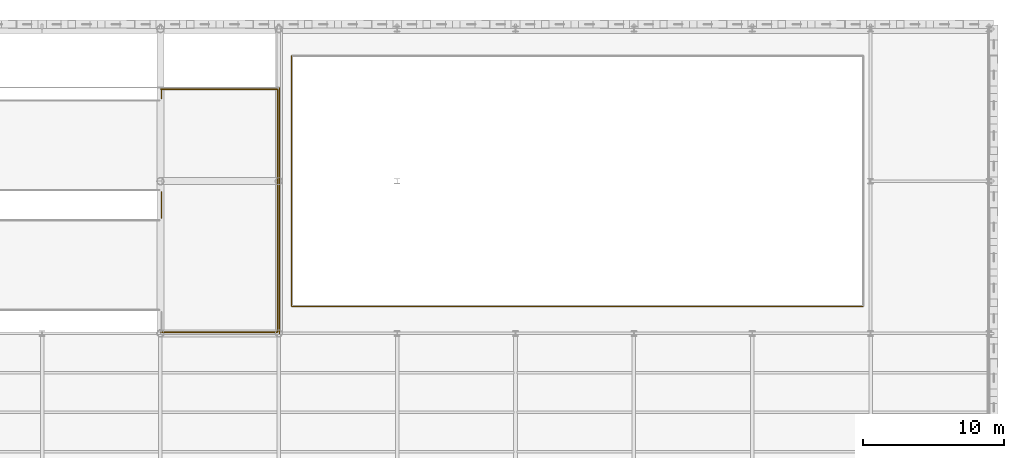
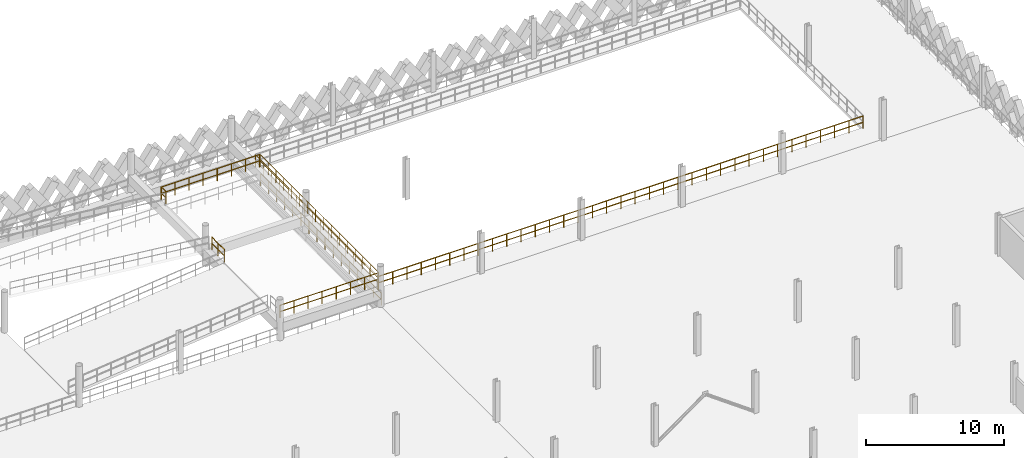
# One storey, part 97 of 101: 8 railings.
"""IFC4 building model written with IfcOpenShell, lengths in metres."""

from ifc_helpers import new_model, si_unit, direction, frame, origin, origin_2d, place, context, subcontext, project, spatial, circle, extrude, material, type_object, element, save


model = new_model("IFC4")

# Units and contexts
model_context = context("Model", 3, precision=1e-05, world=origin(), true_north=direction((0.0, 1.0)))
body_context = subcontext(model_context, "Body", "Model", "MODEL_VIEW")
ifc_project = project(units=[si_unit("LENGTHUNIT", "METRE"), si_unit("AREAUNIT", "SQUARE_METRE"), si_unit("VOLUMEUNIT", "CUBIC_METRE"), si_unit("PLANEANGLEUNIT", "RADIAN"), si_unit("MASSUNIT", "GRAM", prefix="KILO"), si_unit("THERMODYNAMICTEMPERATUREUNIT", "KELVIN"), si_unit("POWERUNIT", "WATT")], contexts=[model_context])

# Site, building, storey
site_placement = place(None, origin())
site = spatial("IfcSite", under=ifc_project, at=site_placement, CompositionType="ELEMENT")
building_placement = place(site_placement, origin())
building = spatial("IfcBuilding", under=site, at=building_placement, Name="Tembeka Court Mobility Hub", CompositionType="ELEMENT")
storey_placement = place(building_placement, frame((0.0, 0.0, 5.39990234375)))
storey = spatial("IfcBuildingStorey", under=building, at=storey_placement, Name="L01", CompositionType="ELEMENT", Elevation=5.39990234375)

# Railings
ifc_material = material(Name="Painted galvanised steel balustrade", Category="steel")
railing_type_1 = type_object("IfcRailingType", Name="RL-GR01", PredefinedType="GUARDRAIL", material=ifc_material)
railing_1_placement = place(storey_placement, frame((42.929931640625, 99.10009765625, 0.0)))
element("IfcRailing", 1, at=railing_1_placement, inside=storey, type_object=railing_type_1, Name="Perimeter guard GR01-0057", PredefinedType="GUARDRAIL", context=body_context, shape_type="SweptSolid", body=[
    extrude(circle(Radius=0.02392578125, at=origin_2d()), frame((0.0, 0.0, 1.09619140625), z_axis=(1.0, 0.0, 0.0), x_axis=(0.0, 1.0, 0.0)), (0.0, 0.0, 1.0), 40.5400390625),
    extrude(circle(Radius=0.02392578125, at=origin_2d()), frame((0.0, 0.0, 0.5361328125), z_axis=(1.0, 0.0, 0.0), x_axis=(0.0, 1.0, 0.0)), (0.0, 0.0, 1.0), 40.5400390625),
    extrude(circle(Radius=0.02099609375, at=origin_2d()), origin(), (0.0, 0.0, 1.0), 1.072021484375),
    extrude(circle(Radius=0.02099609375, at=origin_2d()), frame((1.1923828125, 0.0, 0.0)), (0.0, 0.0, 1.0), 1.072021484375),
    extrude(circle(Radius=0.02099609375, at=origin_2d()), frame((2.384765625, 0.0, 0.0)), (0.0, 0.0, 1.0), 1.072021484375),
    extrude(circle(Radius=0.02099609375, at=origin_2d()), frame((3.5771484375, 0.0, 0.0)), (0.0, 0.0, 1.0), 1.072021484375),
    extrude(circle(Radius=0.02099609375, at=origin_2d()), frame((4.76953125, 0.0, 0.0)), (0.0, 0.0, 1.0), 1.072021484375),
    extrude(circle(Radius=0.02099609375, at=origin_2d()), frame((5.961669921875, 0.0, 0.0)), (0.0, 0.0, 1.0), 1.072021484375),
    extrude(circle(Radius=0.02099609375, at=origin_2d()), frame((7.154052734375, 0.0, 0.0)), (0.0, 0.0, 1.0), 1.072021484375),
    extrude(circle(Radius=0.02099609375, at=origin_2d()), frame((8.346435546875, 0.0, 0.0)), (0.0, 0.0, 1.0), 1.072021484375),
    extrude(circle(Radius=0.02099609375, at=origin_2d()), frame((9.538818359375, 0.0, 0.0)), (0.0, 0.0, 1.0), 1.072021484375),
    extrude(circle(Radius=0.02099609375, at=origin_2d()), frame((10.731201171875, 0.0, 0.0)), (0.0, 0.0, 1.0), 1.072021484375),
    extrude(circle(Radius=0.02099609375, at=origin_2d()), frame((11.923583984375, 0.0, 0.0)), (0.0, 0.0, 1.0), 1.072021484375),
    extrude(circle(Radius=0.02099609375, at=origin_2d()), frame((13.115966796875, 0.0, 0.0)), (0.0, 0.0, 1.0), 1.072021484375),
    extrude(circle(Radius=0.02099609375, at=origin_2d()), frame((14.308349609375, 0.0, 0.0)), (0.0, 0.0, 1.0), 1.072021484375),
    extrude(circle(Radius=0.02099609375, at=origin_2d()), frame((15.50048828125, 0.0, 0.0)), (0.0, 0.0, 1.0), 1.072021484375),
    extrude(circle(Radius=0.02099609375, at=origin_2d()), frame((16.69287109375, 0.0, 0.0)), (0.0, 0.0, 1.0), 1.072021484375),
    extrude(circle(Radius=0.02099609375, at=origin_2d()), frame((17.88525390625, 0.0, 0.0)), (0.0, 0.0, 1.0), 1.072021484375),
    extrude(circle(Radius=0.02099609375, at=origin_2d()), frame((19.07763671875, 0.0, 0.0)), (0.0, 0.0, 1.0), 1.072021484375),
    extrude(circle(Radius=0.02099609375, at=origin_2d()), frame((20.27001953125, 0.0, 0.0)), (0.0, 0.0, 1.0), 1.072021484375),
    extrude(circle(Radius=0.02099609375, at=origin_2d()), frame((21.46240234375, 0.0, 0.0)), (0.0, 0.0, 1.0), 1.072021484375),
    extrude(circle(Radius=0.02099609375, at=origin_2d()), frame((22.65478515625, 0.0, 0.0)), (0.0, 0.0, 1.0), 1.072021484375),
    extrude(circle(Radius=0.02099609375, at=origin_2d()), frame((23.84716796875, 0.0, 0.0)), (0.0, 0.0, 1.0), 1.072021484375),
    extrude(circle(Radius=0.02099609375, at=origin_2d()), frame((25.03955078125, 0.0, 0.0)), (0.0, 0.0, 1.0), 1.072021484375),
    extrude(circle(Radius=0.02099609375, at=origin_2d()), frame((26.231689453125, 0.0, 0.0)), (0.0, 0.0, 1.0), 1.072021484375),
    extrude(circle(Radius=0.02099609375, at=origin_2d()), frame((27.424072265625, 0.0, 0.0)), (0.0, 0.0, 1.0), 1.072021484375),
    extrude(circle(Radius=0.02099609375, at=origin_2d()), frame((28.616455078125, 0.0, 0.0)), (0.0, 0.0, 1.0), 1.072021484375),
    extrude(circle(Radius=0.02099609375, at=origin_2d()), frame((29.808837890625, 0.0, 0.0)), (0.0, 0.0, 1.0), 1.072021484375),
    extrude(circle(Radius=0.02099609375, at=origin_2d()), frame((31.001220703125, 0.0, 0.0)), (0.0, 0.0, 1.0), 1.072021484375),
    extrude(circle(Radius=0.02099609375, at=origin_2d()), frame((32.193603515625, 0.0, 0.0)), (0.0, 0.0, 1.0), 1.072021484375),
    extrude(circle(Radius=0.02099609375, at=origin_2d()), frame((33.385986328125, 0.0, 0.0)), (0.0, 0.0, 1.0), 1.072021484375),
    extrude(circle(Radius=0.02099609375, at=origin_2d()), frame((34.578369140625, 0.0, 0.0)), (0.0, 0.0, 1.0), 1.072021484375),
    extrude(circle(Radius=0.02099609375, at=origin_2d()), frame((35.7705078125, 0.0, 0.0)), (0.0, 0.0, 1.0), 1.072021484375),
    extrude(circle(Radius=0.02099609375, at=origin_2d()), frame((36.962890625, 0.0, 0.0)), (0.0, 0.0, 1.0), 1.072021484375),
    extrude(circle(Radius=0.02099609375, at=origin_2d()), frame((38.1552734375, 0.0, 0.0)), (0.0, 0.0, 1.0), 1.072021484375),
    extrude(circle(Radius=0.02099609375, at=origin_2d()), frame((39.34765625, 0.0, 0.0)), (0.0, 0.0, 1.0), 1.072021484375),
    extrude(circle(Radius=0.02099609375, at=origin_2d()), frame((40.5400390625, 0.0, 0.0)), (0.0, 0.0, 1.0), 1.072021484375),
])
railing_2_placement = place(storey_placement, frame((42.89990234375, 116.8701171875, 0.0)))
element("IfcRailing", 2, at=railing_2_placement, inside=storey, type_object=railing_type_1, Name="Perimeter guard GR01-0060", PredefinedType="GUARDRAIL", context=body_context, shape_type="SweptSolid", body=[
    extrude(circle(Radius=0.02392578125, at=origin_2d()), frame((0.0, 0.0, 1.09619140625), z_axis=(0.0, -1.0, 0.0), x_axis=(1.0, 0.0, 0.0)), (0.0, 0.0, 1.0), 17.740234375),
    extrude(circle(Radius=0.02392578125, at=origin_2d()), frame((0.0, 0.0, 0.5361328125), z_axis=(0.0, -1.0, 0.0), x_axis=(1.0, 0.0, 0.0)), (0.0, 0.0, 1.0), 17.740234375),
    extrude(circle(Radius=0.02099609375, at=origin_2d()), origin(), (0.0, 0.0, 1.0), 1.072021484375),
    extrude(circle(Radius=0.02099609375, at=origin_2d()), frame((0.0, -1.1826171875, 0.0)), (0.0, 0.0, 1.0), 1.072021484375),
    extrude(circle(Radius=0.02099609375, at=origin_2d()), frame((0.0, -2.365478515625, 0.0)), (0.0, 0.0, 1.0), 1.072021484375),
    extrude(circle(Radius=0.02099609375, at=origin_2d()), frame((0.0, -3.548095703125, 0.0)), (0.0, 0.0, 1.0), 1.072021484375),
    extrude(circle(Radius=0.02099609375, at=origin_2d()), frame((0.0, -4.730712890625, 0.0)), (0.0, 0.0, 1.0), 1.072021484375),
    extrude(circle(Radius=0.02099609375, at=origin_2d()), frame((0.0, -5.913330078125, 0.0)), (0.0, 0.0, 1.0), 1.072021484375),
    extrude(circle(Radius=0.02099609375, at=origin_2d()), frame((0.0, -7.09619140625, 0.0)), (0.0, 0.0, 1.0), 1.072021484375),
    extrude(circle(Radius=0.02099609375, at=origin_2d()), frame((0.0, -8.27880859375, 0.0)), (0.0, 0.0, 1.0), 1.072021484375),
    extrude(circle(Radius=0.02099609375, at=origin_2d()), frame((0.0, -9.46142578125, 0.0)), (0.0, 0.0, 1.0), 1.072021484375),
    extrude(circle(Radius=0.02099609375, at=origin_2d()), frame((0.0, -10.64404296875, 0.0)), (0.0, 0.0, 1.0), 1.072021484375),
    extrude(circle(Radius=0.02099609375, at=origin_2d()), frame((0.0, -11.826904296875, 0.0)), (0.0, 0.0, 1.0), 1.072021484375),
    extrude(circle(Radius=0.02099609375, at=origin_2d()), frame((0.0, -13.009521484375, 0.0)), (0.0, 0.0, 1.0), 1.072021484375),
    extrude(circle(Radius=0.02099609375, at=origin_2d()), frame((0.0, -14.192138671875, 0.0)), (0.0, 0.0, 1.0), 1.072021484375),
    extrude(circle(Radius=0.02099609375, at=origin_2d()), frame((0.0, -15.374755859375, 0.0)), (0.0, 0.0, 1.0), 1.072021484375),
    extrude(circle(Radius=0.02099609375, at=origin_2d()), frame((0.0, -16.5576171875, 0.0)), (0.0, 0.0, 1.0), 1.072021484375),
    extrude(circle(Radius=0.02099609375, at=origin_2d()), frame((0.0, -17.740234375, 0.0)), (0.0, 0.0, 1.0), 1.072021484375),
])
railing_type_2 = type_object("IfcRailingType", Name="RL-GR02", PredefinedType="GUARDRAIL", material=ifc_material)
railing_3_placement = place(storey_placement, frame((42.050048828125, 97.179931640625, 0.0)))
element("IfcRailing", 3, at=railing_3_placement, inside=storey, type_object=railing_type_2, Name="Perimeter guard GR02-0189", PredefinedType="GUARDRAIL", context=body_context, shape_type="SweptSolid", body=[
    extrude(circle(Radius=0.02392578125, at=origin_2d()), frame((0.0, 0.0, 1.09619140625), z_axis=(0.0, 1.0, 0.0), x_axis=(-1.0, 0.0, 0.0)), (0.0, 0.0, 1.0), 17.440185546875),
    extrude(circle(Radius=0.02392578125, at=origin_2d()), frame((0.0, 0.0, 0.5361328125), z_axis=(0.0, 1.0, 0.0), x_axis=(-1.0, 0.0, 0.0)), (0.0, 0.0, 1.0), 17.440185546875),
    extrude(circle(Radius=0.02099609375, at=origin_2d()), origin(), (0.0, 0.0, 1.0), 1.072021484375),
    extrude(circle(Radius=0.02099609375, at=origin_2d()), frame((0.0, 1.16259765625, 0.0)), (0.0, 0.0, 1.0), 1.072021484375),
    extrude(circle(Radius=0.02099609375, at=origin_2d()), frame((0.0, 2.325439453125, 0.0)), (0.0, 0.0, 1.0), 1.072021484375),
    extrude(circle(Radius=0.02099609375, at=origin_2d()), frame((0.0, 3.488037109375, 0.0)), (0.0, 0.0, 1.0), 1.072021484375),
    extrude(circle(Radius=0.02099609375, at=origin_2d()), frame((0.0, 4.650634765625, 0.0)), (0.0, 0.0, 1.0), 1.072021484375),
    extrude(circle(Radius=0.02099609375, at=origin_2d()), frame((0.0, 5.8134765625, 0.0)), (0.0, 0.0, 1.0), 1.072021484375),
    extrude(circle(Radius=0.02099609375, at=origin_2d()), frame((0.0, 6.97607421875, 0.0)), (0.0, 0.0, 1.0), 1.072021484375),
    extrude(circle(Radius=0.02099609375, at=origin_2d()), frame((0.0, 8.138671875, 0.0)), (0.0, 0.0, 1.0), 1.072021484375),
    extrude(circle(Radius=0.02099609375, at=origin_2d()), frame((0.0, 9.301513671875, 0.0)), (0.0, 0.0, 1.0), 1.072021484375),
    extrude(circle(Radius=0.02099609375, at=origin_2d()), frame((0.0, 10.464111328125, 0.0)), (0.0, 0.0, 1.0), 1.072021484375),
    extrude(circle(Radius=0.02099609375, at=origin_2d()), frame((0.0, 11.626708984375, 0.0)), (0.0, 0.0, 1.0), 1.072021484375),
    extrude(circle(Radius=0.02099609375, at=origin_2d()), frame((0.0, 12.78955078125, 0.0)), (0.0, 0.0, 1.0), 1.072021484375),
    extrude(circle(Radius=0.02099609375, at=origin_2d()), frame((0.0, 13.9521484375, 0.0)), (0.0, 0.0, 1.0), 1.072021484375),
    extrude(circle(Radius=0.02099609375, at=origin_2d()), frame((0.0, 15.11474609375, 0.0)), (0.0, 0.0, 1.0), 1.072021484375),
    extrude(circle(Radius=0.02099609375, at=origin_2d()), frame((0.0, 16.277587890625, 0.0)), (0.0, 0.0, 1.0), 1.072021484375),
    extrude(circle(Radius=0.02099609375, at=origin_2d()), frame((0.0, 17.440185546875, 0.0)), (0.0, 0.0, 1.0), 1.072021484375),
])
railing_4_placement = place(storey_placement, frame((33.6298828125, 97.280029296875, 1.800048828125)))
element("IfcRailing", 4, at=railing_4_placement, inside=storey, type_object=railing_type_2, Name="Perimeter guard GR02-0226", PredefinedType="GUARDRAIL", context=body_context, shape_type="SweptSolid", body=[
    extrude(circle(Radius=0.02392578125, at=origin_2d()), frame((0.0, 0.0, 1.09619140625), z_axis=(1.0, 0.0, 0.0), x_axis=(0.0, 1.0, 0.0)), (0.0, 0.0, 1.0), 8.260009765625),
    extrude(circle(Radius=0.02392578125, at=origin_2d()), frame((0.0, 0.0, 0.5361328125), z_axis=(1.0, 0.0, 0.0), x_axis=(0.0, 1.0, 0.0)), (0.0, 0.0, 1.0), 8.260009765625),
    extrude(circle(Radius=0.02099609375, at=origin_2d()), origin(), (0.0, 0.0, 1.0), 1.072021484375),
    extrude(circle(Radius=0.02099609375, at=origin_2d()), frame((1.179931640625, 0.0, 0.0)), (0.0, 0.0, 1.0), 1.072021484375),
    extrude(circle(Radius=0.02099609375, at=origin_2d()), frame((2.360107421875, 0.0, 0.0)), (0.0, 0.0, 1.0), 1.072021484375),
    extrude(circle(Radius=0.02099609375, at=origin_2d()), frame((3.5400390625, 0.0, 0.0)), (0.0, 0.0, 1.0), 1.072021484375),
    extrude(circle(Radius=0.02099609375, at=origin_2d()), frame((4.719970703125, 0.0, 0.0)), (0.0, 0.0, 1.0), 1.072021484375),
    extrude(circle(Radius=0.02099609375, at=origin_2d()), frame((5.89990234375, 0.0, 0.0)), (0.0, 0.0, 1.0), 1.072021484375),
    extrude(circle(Radius=0.02099609375, at=origin_2d()), frame((7.080078125, 0.0, 0.0)), (0.0, 0.0, 1.0), 1.072021484375),
    extrude(circle(Radius=0.02099609375, at=origin_2d()), frame((8.260009765625, 0.0, 0.0)), (0.0, 0.0, 1.0), 1.072021484375),
])
railing_5_placement = place(storey_placement, frame((41.919921875, 97.31005859375, 1.800048828125)))
element("IfcRailing", 5, at=railing_5_placement, inside=storey, type_object=railing_type_2, Name="Perimeter guard GR02-0227", PredefinedType="GUARDRAIL", context=body_context, shape_type="SweptSolid", body=[
    extrude(circle(Radius=0.02392578125, at=origin_2d()), frame((0.0, 0.0, 1.09619140625), z_axis=(0.0, 1.0, 0.0), x_axis=(-1.0, 0.0, 0.0)), (0.0, 0.0, 1.0), 17.179931640625),
    extrude(circle(Radius=0.02392578125, at=origin_2d()), frame((0.0, 0.0, 0.5361328125), z_axis=(0.0, 1.0, 0.0), x_axis=(-1.0, 0.0, 0.0)), (0.0, 0.0, 1.0), 17.179931640625),
    extrude(circle(Radius=0.02099609375, at=origin_2d()), origin(), (0.0, 0.0, 1.0), 1.072021484375),
    extrude(circle(Radius=0.02099609375, at=origin_2d()), frame((0.0, 1.145263671875, 0.0)), (0.0, 0.0, 1.0), 1.072021484375),
    extrude(circle(Radius=0.02099609375, at=origin_2d()), frame((0.0, 2.290771484375, 0.0)), (0.0, 0.0, 1.0), 1.072021484375),
    extrude(circle(Radius=0.02099609375, at=origin_2d()), frame((0.0, 3.43603515625, 0.0)), (0.0, 0.0, 1.0), 1.072021484375),
    extrude(circle(Radius=0.02099609375, at=origin_2d()), frame((0.0, 4.581298828125, 0.0)), (0.0, 0.0, 1.0), 1.072021484375),
    extrude(circle(Radius=0.02099609375, at=origin_2d()), frame((0.0, 5.7265625, 0.0)), (0.0, 0.0, 1.0), 1.072021484375),
    extrude(circle(Radius=0.02099609375, at=origin_2d()), frame((0.0, 6.8720703125, 0.0)), (0.0, 0.0, 1.0), 1.072021484375),
    extrude(circle(Radius=0.02099609375, at=origin_2d()), frame((0.0, 8.017333984375, 0.0)), (0.0, 0.0, 1.0), 1.072021484375),
    extrude(circle(Radius=0.02099609375, at=origin_2d()), frame((0.0, 9.16259765625, 0.0)), (0.0, 0.0, 1.0), 1.072021484375),
    extrude(circle(Radius=0.02099609375, at=origin_2d()), frame((0.0, 10.307861328125, 0.0)), (0.0, 0.0, 1.0), 1.072021484375),
    extrude(circle(Radius=0.02099609375, at=origin_2d()), frame((0.0, 11.453369140625, 0.0)), (0.0, 0.0, 1.0), 1.072021484375),
    extrude(circle(Radius=0.02099609375, at=origin_2d()), frame((0.0, 12.5986328125, 0.0)), (0.0, 0.0, 1.0), 1.072021484375),
    extrude(circle(Radius=0.02099609375, at=origin_2d()), frame((0.0, 13.743896484375, 0.0)), (0.0, 0.0, 1.0), 1.072021484375),
    extrude(circle(Radius=0.02099609375, at=origin_2d()), frame((0.0, 14.88916015625, 0.0)), (0.0, 0.0, 1.0), 1.072021484375),
    extrude(circle(Radius=0.02099609375, at=origin_2d()), frame((0.0, 16.03466796875, 0.0)), (0.0, 0.0, 1.0), 1.072021484375),
    extrude(circle(Radius=0.02099609375, at=origin_2d()), frame((0.0, 17.179931640625, 0.0)), (0.0, 0.0, 1.0), 1.072021484375),
])
railing_6_placement = place(storey_placement, frame((41.889892578125, 114.52001953125, 1.800048828125)))
element("IfcRailing", 6, at=railing_6_placement, inside=storey, type_object=railing_type_2, Name="Perimeter guard GR02-0228", PredefinedType="GUARDRAIL", context=body_context, shape_type="SweptSolid", body=[
    extrude(circle(Radius=0.02392578125, at=origin_2d()), frame((0.0, 0.0, 1.09619140625), z_axis=(-1.0, 0.0, 0.0), x_axis=(0.0, -1.0, 0.0)), (0.0, 0.0, 1.0), 8.260009765625),
    extrude(circle(Radius=0.02392578125, at=origin_2d()), frame((0.0, 0.0, 0.5361328125), z_axis=(-1.0, 0.0, 0.0), x_axis=(0.0, -1.0, 0.0)), (0.0, 0.0, 1.0), 8.260009765625),
    extrude(circle(Radius=0.02099609375, at=origin_2d()), origin(), (0.0, 0.0, 1.0), 1.072021484375),
    extrude(circle(Radius=0.02099609375, at=origin_2d()), frame((-1.179931640625, 0.0, 0.0)), (0.0, 0.0, 1.0), 1.072021484375),
    extrude(circle(Radius=0.02099609375, at=origin_2d()), frame((-2.360107421875, 0.0, 0.0)), (0.0, 0.0, 1.0), 1.072021484375),
    extrude(circle(Radius=0.02099609375, at=origin_2d()), frame((-3.5400390625, 0.0, 0.0)), (0.0, 0.0, 1.0), 1.072021484375),
    extrude(circle(Radius=0.02099609375, at=origin_2d()), frame((-4.719970703125, 0.0, 0.0)), (0.0, 0.0, 1.0), 1.072021484375),
    extrude(circle(Radius=0.02099609375, at=origin_2d()), frame((-5.89990234375, 0.0, 0.0)), (0.0, 0.0, 1.0), 1.072021484375),
    extrude(circle(Radius=0.02099609375, at=origin_2d()), frame((-7.080078125, 0.0, 0.0)), (0.0, 0.0, 1.0), 1.072021484375),
    extrude(circle(Radius=0.02099609375, at=origin_2d()), frame((-8.260009765625, 0.0, 0.0)), (0.0, 0.0, 1.0), 1.072021484375),
])
railing_7_placement = place(storey_placement, frame((33.679931640625, 105.3798828125, 1.800048828125)))
element("IfcRailing", 7, at=railing_7_placement, inside=storey, type_object=railing_type_2, Name="Perimeter guard GR02-0230", PredefinedType="GUARDRAIL", context=body_context, shape_type="SweptSolid", body=[
    extrude(circle(Radius=0.02392578125, at=origin_2d()), frame((0.0, 0.0, 1.09619140625), z_axis=(0.0, 1.0, 0.0), x_axis=(-1.0, 0.0, 0.0)), (0.0, 0.0, 1.0), 1.840087890625),
    extrude(circle(Radius=0.02392578125, at=origin_2d()), frame((0.0, 0.0, 0.5361328125), z_axis=(0.0, 1.0, 0.0), x_axis=(-1.0, 0.0, 0.0)), (0.0, 0.0, 1.0), 1.840087890625),
    extrude(circle(Radius=0.02099609375, at=origin_2d()), origin(), (0.0, 0.0, 1.0), 1.072021484375),
    extrude(circle(Radius=0.02099609375, at=origin_2d()), frame((0.0, 0.919921875, 0.0)), (0.0, 0.0, 1.0), 1.072021484375),
    extrude(circle(Radius=0.02099609375, at=origin_2d()), frame((0.0, 1.840087890625, 0.0)), (0.0, 0.0, 1.0), 1.072021484375),
])
railing_8_placement = place(storey_placement, frame((33.679931640625, 113.8798828125, 1.800048828125)))
element("IfcRailing", 8, at=railing_8_placement, inside=storey, type_object=railing_type_2, Name="Perimeter guard GR02-0231", PredefinedType="GUARDRAIL", context=body_context, shape_type="SweptSolid", body=[
    extrude(circle(Radius=0.02392578125, at=origin_2d()), frame((0.0, 0.0, 1.09619140625), z_axis=(0.0, 1.0, 0.0), x_axis=(-1.0, 0.0, 0.0)), (0.0, 0.0, 1.0), 0.610107421875),
    extrude(circle(Radius=0.02392578125, at=origin_2d()), frame((0.0, 0.0, 0.5361328125), z_axis=(0.0, 1.0, 0.0), x_axis=(-1.0, 0.0, 0.0)), (0.0, 0.0, 1.0), 0.610107421875),
    extrude(circle(Radius=0.02099609375, at=origin_2d()), origin(), (0.0, 0.0, 1.0), 1.072021484375),
    extrude(circle(Radius=0.02099609375, at=origin_2d()), frame((0.0, 0.610107421875, 0.0)), (0.0, 0.0, 1.0), 1.072021484375),
])

save(model, "model.ifc")
